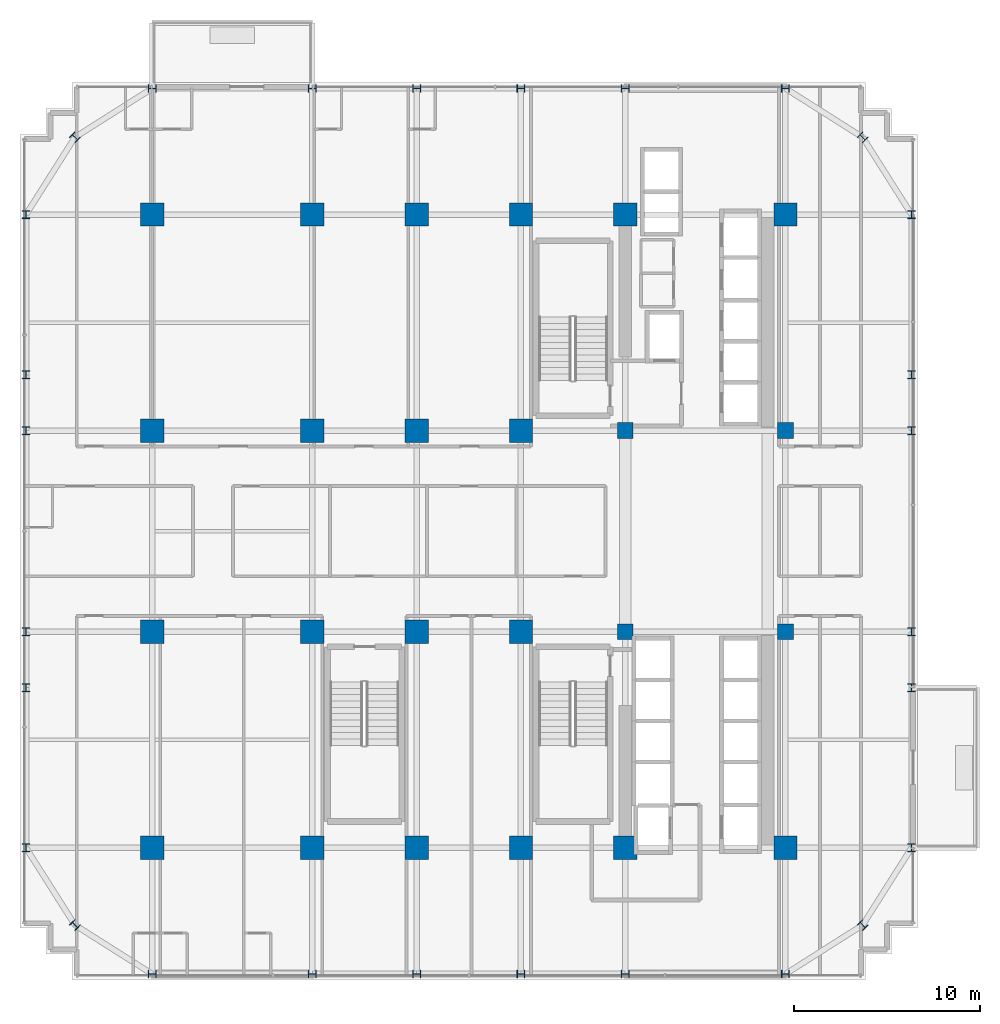
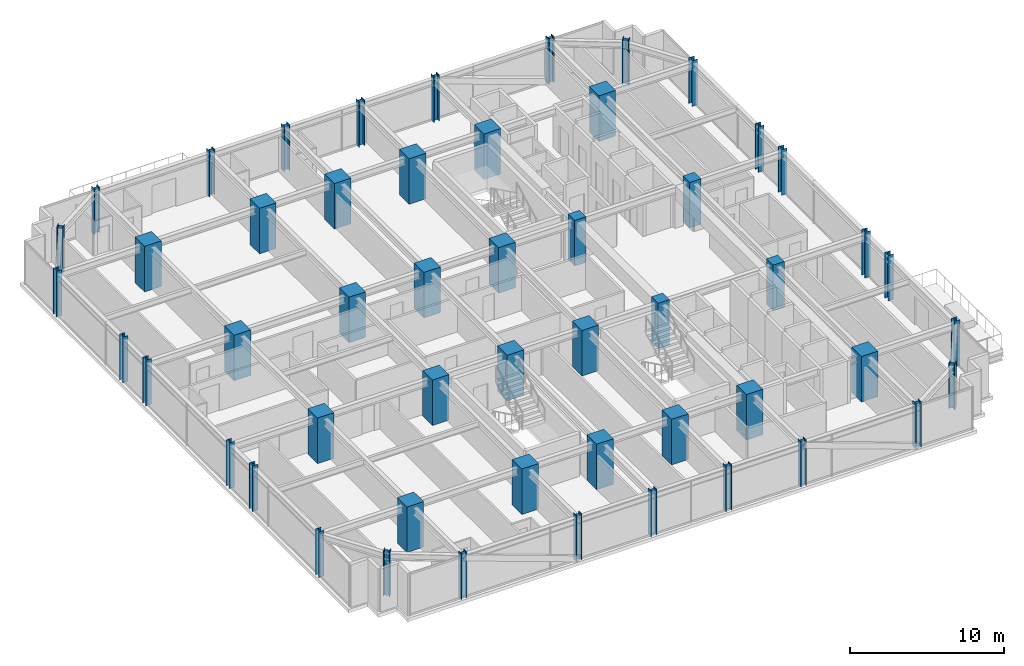
# One storey, part 1 of 34: 52 columns.
"""IFC4 building model written with IfcOpenShell, lengths in metres."""

import ifcopenshell
import ifcopenshell.guid

model = None  # the IFC model being written
_history = None  # IfcOwnerHistory: only IFC2X3 demands one
_inside = {}  # id of a spatial element -> (the spatial element, [elements in it])
_under = {}  # id of a project, library or spatial element -> (it, [spatial elements below it])
_declared = {}  # id of a project -> (the project, [libraries it declares])
_typed = {}  # id of a type object -> (the type object, [elements of that type])
_made_of = {}  # id of a material, layer set ... -> (it, [elements and type objects made of it])


def new_model(schema):
    """Start an empty IFC model of exactly this schema.

    Asked for "IFC4X3", IfcOpenShell would pick the latest addendum, in which some entities
    have other attributes; the version numbers below select the first issue.
    IFC2X3 requires an IfcOwnerHistory on every rooted entity: one is made here for all.
    """
    global model, _history
    if schema == "IFC4X3":
        model = ifcopenshell.file(schema_version=(4, 3, 0, 0))
    else:
        model = ifcopenshell.file(schema=schema)
    _inside.clear()
    _under.clear()
    _declared.clear()
    _typed.clear()
    _made_of.clear()
    _history = None
    if model.schema == "IFC2X3":
        org = make("IfcOrganization", Name="unknown")
        user = make(
            "IfcPersonAndOrganization",
            ThePerson=make("IfcPerson", FamilyName="unknown"),
            TheOrganization=org,
        )
        app = make(
            "IfcApplication",
            ApplicationDeveloper=org,
            Version="unknown",
            ApplicationFullName="unknown",
            ApplicationIdentifier="unknown",
        )
        _history = make(
            "IfcOwnerHistory",
            OwningUser=user,
            OwningApplication=app,
            ChangeAction="ADDED",
            CreationDate=0,
        )
    return model


def make(cls, **values):
    """One entity of the class cls with the attributes given. An attribute that is None is left unset."""
    return model.create_entity(
        cls, **{name: value for name, value in values.items() if value is not None}
    )


def rooted(cls, **values):
    """An entity with a GlobalId (a new one), such as an element, a storey or a relation."""
    return make(cls, GlobalId=ifcopenshell.guid.new(), OwnerHistory=_history, **values)


def si_unit(unit_type, name, prefix=None):
    """IfcSIUnit, for example si_unit("LENGTHUNIT", "METRE", prefix="MILLI")."""
    return make("IfcSIUnit", UnitType=unit_type, Prefix=prefix, Name=name)


def assignment(units):
    """IfcUnitAssignment: the units of a project."""
    return None if units is None else make("IfcUnitAssignment", Units=units)


def point(xyz):
    """IfcCartesianPoint."""
    return None if xyz is None else make("IfcCartesianPoint", Coordinates=xyz)


def direction(xyz):
    """IfcDirection."""
    return None if xyz is None else make("IfcDirection", DirectionRatios=xyz)


def frame(location, z_axis=None, x_axis=None):
    """IfcAxis2Placement3D, a coordinate frame: its origin and axes. An axis left out is left unset."""
    return make(
        "IfcAxis2Placement3D",
        Location=point(location),
        Axis=direction(z_axis),
        RefDirection=direction(x_axis),
    )


def frame_2d(location, x_axis=None):
    """IfcAxis2Placement2D, a coordinate frame in the plane: its origin and x axis."""
    return make(
        "IfcAxis2Placement2D", Location=point(location), RefDirection=direction(x_axis)
    )


def origin():
    """The frame at (0, 0, 0) with its axes left unset."""
    return frame((0.0, 0.0, 0.0))


def origin_2d():
    """The frame at (0, 0) in the plane with its x axis left unset."""
    return frame_2d((0.0, 0.0))


def place(relative_to, where):
    """IfcLocalPlacement: puts the frame where relative to a parent placement (None: the world)."""
    return make(
        "IfcLocalPlacement", PlacementRelTo=relative_to, RelativePlacement=where
    )


def context(
    kind, dimensions, precision=None, world=None, true_north=None, identifier=None
):
    """IfcGeometricRepresentationContext, for example the 3D "Model" context."""
    return make(
        "IfcGeometricRepresentationContext",
        ContextIdentifier=identifier,
        ContextType=kind,
        CoordinateSpaceDimension=dimensions,
        Precision=precision,
        WorldCoordinateSystem=world,
        TrueNorth=true_north,
    )


def subcontext(parent, identifier, kind, view, scale=None):
    """IfcGeometricRepresentationSubContext, for example "Body" below "Model"."""
    return make(
        "IfcGeometricRepresentationSubContext",
        ContextIdentifier=identifier,
        ContextType=kind,
        ParentContext=parent,
        TargetScale=scale,
        TargetView=view,
    )


def project(units=None, contexts=None):
    """IfcProject with its units and contexts."""
    return rooted(
        "IfcProject",
        Name="project",
        RepresentationContexts=contexts,
        UnitsInContext=assignment(units),
    )


def spatial(cls, under=None, at=None, **own):
    """A site, building, storey or space (cls), placed at a placement, below another one or the project."""
    s = rooted(cls, ObjectPlacement=at, **own)
    if under is not None:
        _under.setdefault(under.id(), (under, []))[1].append(s)
    return s


def profile(cls, at=None, kind="AREA", **sizes):
    """A parametric profile (cls). Its sizes go by their IFC names, for example OverallWidth=200.0."""
    return make(cls, ProfileType=kind, Position=at, **sizes)


def rectangle(**sizes):
    """IfcRectangleProfileDef."""
    return profile("IfcRectangleProfileDef", **sizes)


def i_section(**sizes):
    """IfcIShapeProfileDef."""
    return profile("IfcIShapeProfileDef", **sizes)


def extrude(swept, where, along, depth):
    """IfcExtrudedAreaSolid: the profile swept, set in the frame where, extruded along a direction by depth."""
    return make(
        "IfcExtrudedAreaSolid",
        SweptArea=swept,
        Position=where,
        ExtrudedDirection=direction(along),
        Depth=depth,
    )


def shape(context_of_items, identifier, shape_type, items):
    """IfcShapeRepresentation: the items that make up one representation, for example the "Body"."""
    return make(
        "IfcShapeRepresentation",
        ContextOfItems=context_of_items,
        RepresentationIdentifier=identifier,
        RepresentationType=shape_type,
        Items=items,
    )


def source(mapping_origin, context_of_items, identifier, shape_type, items):
    """IfcRepresentationMap: a shape defined once, which mapped items show again and again."""
    return make(
        "IfcRepresentationMap",
        MappingOrigin=mapping_origin,
        MappedRepresentation=shape(context_of_items, identifier, shape_type, items),
    )


def transform(
    local_origin,
    x_axis=None,
    y_axis=None,
    z_axis=None,
    scale=None,
    scale2=None,
    scale3=None,
    uniform=True,
):
    """IfcCartesianTransformationOperator3D, or its non-uniform kind. x_axis, y_axis, z_axis: its Axis1, 2, 3."""
    if uniform:
        return make(
            "IfcCartesianTransformationOperator3D",
            Axis1=direction(x_axis),
            Axis2=direction(y_axis),
            LocalOrigin=point(local_origin),
            Scale=scale,
            Axis3=direction(z_axis),
        )
    return make(
        "IfcCartesianTransformationOperator3DnonUniform",
        Axis1=direction(x_axis),
        Axis2=direction(y_axis),
        LocalOrigin=point(local_origin),
        Scale=scale,
        Axis3=direction(z_axis),
        Scale2=scale2,
        Scale3=scale3,
    )


def mapped(mapping_source, mapping_target):
    """IfcMappedItem: shows the shape of a source again, moved by a transform."""
    return make(
        "IfcMappedItem", MappingSource=mapping_source, MappingTarget=mapping_target
    )


def material(Name=None, Category=None):
    """IfcMaterial."""
    return make("IfcMaterial", Name=Name, Category=Category)


def material_profile(
    of_material, cross_section, Name=None, Category=None, Priority=None
):
    """IfcMaterialProfile: a cross section and its material."""
    return make(
        "IfcMaterialProfile",
        Name=Name,
        Material=of_material,
        Profile=cross_section,
        Priority=Priority,
        Category=Category,
    )


def profile_set(profiles, Name=None, composite=None):
    """IfcMaterialProfileSet."""
    return make(
        "IfcMaterialProfileSet",
        Name=Name,
        MaterialProfiles=profiles,
        CompositeProfile=composite,
    )


def made_of(thing, what):
    """Note that an element or type object is made of a material, layer set ...; save() writes the relation."""
    if what is not None:
        _made_of.setdefault(what.id(), (what, []))[1].append(thing)
    return thing


def type_object(cls, material=None, **own):
    """A type object (cls), such as IfcWallType, which elements share."""
    return made_of(rooted(cls, **own), material)


def element(
    cls,
    number,
    at=None,
    inside=None,
    cuts=None,
    type_object=None,
    material=None,
    context=None,
    identifier="Body",
    shape_type=None,
    held_by="IfcProductDefinitionShape",
    body=None,
    shapes=None,
    **own,
):
    """One element of the class cls, such as IfcWall. Its Tag is "e" and its number.

    at: its placement. inside: the storey or other place that contains it. cuts: it is an
    opening in that element (IfcRelVoidsElement). A single representation is given by context,
    identifier, shape_type and body (its items); several are given by shapes. held_by: the class
    of the entity that holds the representations. save() writes the other relations.
    """
    e = rooted(cls, Tag="e%d" % number, ObjectPlacement=at, **own)
    if body is not None:
        shapes = [shape(context, identifier, shape_type, body)]
    if shapes is not None:
        e.Representation = make(held_by, Representations=shapes)
    if inside is not None:
        _inside.setdefault(inside.id(), (inside, []))[1].append(e)
    if cuts is not None:
        rooted(
            "IfcRelVoidsElement", RelatingBuildingElement=cuts, RelatedOpeningElement=e
        )
    if type_object is not None:
        _typed.setdefault(type_object.id(), (type_object, []))[1].append(e)
    return made_of(e, material)


def aggregate(whole, parts):
    """IfcRelAggregates: a whole, such as a stair, and the parts it consists of."""
    return rooted("IfcRelAggregates", RelatingObject=whole, RelatedObjects=parts)


def save(model, path):
    """Write the relations noted so far, then the file.

    IfcRelAggregates (storeys below a building ...), IfcRelContainedInSpatialStructure (elements
    in a storey), IfcRelDefinesByType, IfcRelAssociatesMaterial and IfcRelDeclares: one each for
    every whole, place, type object, material and project.
    """
    for whole, parts in _under.values():
        aggregate(whole, parts)
    for where, things in _inside.values():
        rooted(
            "IfcRelContainedInSpatialStructure",
            RelatedElements=things,
            RelatingStructure=where,
        )
    for kind, things in _typed.values():
        rooted("IfcRelDefinesByType", RelatedObjects=things, RelatingType=kind)
    for what, things in _made_of.values():
        rooted("IfcRelAssociatesMaterial", RelatedObjects=things, RelatingMaterial=what)
    for by, libraries in _declared.values():
        rooted("IfcRelDeclares", RelatingContext=by, RelatedDefinitions=libraries)
    model.write(path)


model = new_model("IFC4")

# Units and contexts
model_context = context("Model", 3, precision=1e-05, world=origin(), true_north=direction((0.0, 1.0)))
body_context = subcontext(model_context, "Body", "Model", "MODEL_VIEW")
ifc_project = project(units=[si_unit("LENGTHUNIT", "METRE"), si_unit("AREAUNIT", "SQUARE_METRE"), si_unit("VOLUMEUNIT", "CUBIC_METRE"), si_unit("PLANEANGLEUNIT", "RADIAN"), si_unit("MASSUNIT", "GRAM", prefix="KILO")], contexts=[model_context])

# Site, building, storey
site_placement = place(None, origin())
site = spatial("IfcSite", under=ifc_project, at=site_placement, CompositionType="ELEMENT")
building_placement = place(site_placement, origin())
building = spatial("IfcBuilding", under=site, at=building_placement, Name="Nahalor Promenade Grand Hotel", CompositionType="ELEMENT")
storey_placement = place(building_placement, frame((0.0, 0.0, 128.449951171875)))
storey = spatial("IfcBuildingStorey", under=building, at=storey_placement, Name="L32", CompositionType="ELEMENT", Elevation=128.449951171875)

# Columns
ifc_material_1 = material(Name="Concrete B-70 (C60/75)", Category="concrete")
ifc_material_profile_1 = material_profile(ifc_material_1, rectangle(XDim=0.85, YDim=0.85, at=origin_2d()), Name="RC 850x850")
ifc_profile_set_1 = profile_set([ifc_material_profile_1], Name="Concrete B-70 (C60/75)")
column_type_1 = type_object("IfcColumnType", Name="Col-Pilaster-850", PredefinedType="PILASTER", material=ifc_profile_set_1)
shared_shape_1 = source(origin(), body_context, "Body", "SweptSolid", [
    extrude(rectangle(XDim=0.85, YDim=0.85, at=origin_2d()), origin(), (0.0, 0.0, 1.0), 3.60498046875),
])
for number, where, z_axis, x_axis, name in (
    (1, (8.39990234375, -5.39990234375, 0.0), (0.0, 0.0, 1.0), (1.0, 0.0, 0.0), "COL-L32-I41"),
    (2, (8.39990234375, 5.39990234375, 0.0), (0.0, 0.0, 1.0), (1.0, 0.0, 0.0), "COL-L32-I42"),
    (3, (17.0, -5.39990234375, 0.0), (0.0, 0.0, 1.0), (1.0, 0.0, 0.0), "COL-L32-I51"),
    (4, (17.0, 5.39990234375, 0.0), (0.0, 0.0, 1.0), (1.0, 0.0, 0.0), "COL-L32-I52"),
):
    element("IfcColumn", number, at=place(storey_placement, frame(where, z_axis=z_axis, x_axis=x_axis)), inside=storey, type_object=column_type_1, Name=name, PredefinedType="PILASTER", context=body_context, shape_type="MappedRepresentation", body=[
        mapped(shared_shape_1, transform((0.0, 0.0, 0.0), scale=1.0)),
    ])
ifc_material_2 = material(Name="Concrete B-60 (C50/60)", Category="concrete")
ifc_material_profile_2 = material_profile(ifc_material_2, rectangle(XDim=1.25, YDim=1.25, at=origin_2d()), Name="RC 1250x1250")
ifc_profile_set_2 = profile_set([ifc_material_profile_2], Name="Concrete B-60 (C50/60)")
column_type_2 = type_object("IfcColumnType", Name="Col-RC-1250", PredefinedType="COLUMN", material=ifc_profile_set_2)
shared_shape_2 = source(origin(), body_context, "Body", "SweptSolid", [
    extrude(rectangle(XDim=1.25, YDim=1.25, at=origin_2d()), origin(), (0.0, 0.0, 1.0), 3.60498046875),
])
for number, where, z_axis, x_axis, name in (
    (5, (-17.0, -17.0, 0.0), (0.0, 0.0, 1.0), (1.0, 0.0, 0.0), "COL-L32-I00"),
    (6, (-17.0, -5.39990234375, 0.0), (0.0, 0.0, 1.0), (1.0, 0.0, 0.0), "COL-L32-I01"),
    (7, (-17.0, 5.39990234375, 0.0), (0.0, 0.0, 1.0), (1.0, 0.0, 0.0), "COL-L32-I02"),
    (8, (-17.0, 17.0, 0.0), (0.0, 0.0, 1.0), (1.0, 0.0, 0.0), "COL-L32-I03"),
    (9, (-8.39990234375, -17.0, 0.0), (0.0, 0.0, 1.0), (1.0, 0.0, 0.0), "COL-L32-I10"),
    (10, (-8.39990234375, -5.39990234375, 0.0), (0.0, 0.0, 1.0), (1.0, 0.0, 0.0), "COL-L32-I11"),
    (11, (-8.39990234375, 5.39990234375, 0.0), (0.0, 0.0, 1.0), (1.0, 0.0, 0.0), "COL-L32-I12"),
    (12, (-8.39990234375, 17.0, 0.0), (0.0, 0.0, 1.0), (1.0, 0.0, 0.0), "COL-L32-I13"),
    (13, (-2.800048828125, -17.0, 0.0), (0.0, 0.0, 1.0), (1.0, 0.0, 0.0), "COL-L32-I20"),
    (14, (-2.800048828125, -5.39990234375, 0.0), (0.0, 0.0, 1.0), (1.0, 0.0, 0.0), "COL-L32-I21"),
    (15, (-2.800048828125, 5.39990234375, 0.0), (0.0, 0.0, 1.0), (1.0, 0.0, 0.0), "COL-L32-I22"),
    (16, (-2.800048828125, 17.0, 0.0), (0.0, 0.0, 1.0), (1.0, 0.0, 0.0), "COL-L32-I23"),
    (17, (2.800048828125, -17.0, 0.0), (0.0, 0.0, 1.0), (1.0, 0.0, 0.0), "COL-L32-I30"),
    (18, (2.800048828125, -5.39990234375, 0.0), (0.0, 0.0, 1.0), (1.0, 0.0, 0.0), "COL-L32-I31"),
    (19, (2.800048828125, 5.39990234375, 0.0), (0.0, 0.0, 1.0), (1.0, 0.0, 0.0), "COL-L32-I32"),
    (20, (2.800048828125, 17.0, 0.0), (0.0, 0.0, 1.0), (1.0, 0.0, 0.0), "COL-L32-I33"),
    (21, (8.39990234375, -17.0, 0.0), (0.0, 0.0, 1.0), (1.0, 0.0, 0.0), "COL-L32-I40"),
    (22, (8.39990234375, 17.0, 0.0), (0.0, 0.0, 1.0), (1.0, 0.0, 0.0), "COL-L32-I43"),
    (23, (17.0, -17.0, 0.0), (0.0, 0.0, 1.0), (1.0, 0.0, 0.0), "COL-L32-I50"),
    (24, (17.0, 17.0, 0.0), (0.0, 0.0, 1.0), (1.0, 0.0, 0.0), "COL-L32-I53"),
):
    element("IfcColumn", number, at=place(storey_placement, frame(where, z_axis=z_axis, x_axis=x_axis)), inside=storey, type_object=column_type_2, Name=name, PredefinedType="COLUMN", context=body_context, shape_type="MappedRepresentation", body=[
        mapped(shared_shape_2, transform((0.0, 0.0, 0.0), scale=1.0)),
    ])
ifc_material_3 = material(Name="Steel S355J2", Category="steel")
ifc_material_profile_3 = material_profile(ifc_material_3, i_section(OverallWidth=0.409, OverallDepth=0.43, WebThickness=0.0208, FlangeThickness=0.0335, at=origin_2d()), Name="HD 400x421")
ifc_profile_set_3 = profile_set([ifc_material_profile_3], Name="Steel S355J2")
column_type_3 = type_object("IfcColumnType", Name="Col-Steel-HD421", PredefinedType="COLUMN", material=ifc_profile_set_3)
shared_shape_3 = source(origin(), body_context, "Body", "SweptSolid", [
    extrude(i_section(OverallWidth=0.409, OverallDepth=0.43, WebThickness=0.0208, FlangeThickness=0.0335, at=origin_2d()), origin(), (0.0, 0.0, 1.0), 3.60498046875),
])
for number, where, z_axis, x_axis, name in (
    (25, (-23.780029296875, -17.0, 0.0), (0.0, 0.0, 1.0), (1.0, 0.0, 0.0), "COL-L32-PW-W0"),
    (26, (23.780029296875, -17.0, 0.0), (0.0, 0.0, 1.0), (1.0, 0.0, 0.0), "COL-L32-PW-E0"),
    (27, (-23.780029296875, -8.39990234375, 0.0), (0.0, 0.0, 1.0), (1.0, 0.0, 0.0), "COL-L32-PW-W1"),
    (28, (23.780029296875, -8.39990234375, 0.0), (0.0, 0.0, 1.0), (1.0, 0.0, 0.0), "COL-L32-PW-E1"),
    (29, (-23.780029296875, -5.39990234375, 0.0), (0.0, 0.0, 1.0), (1.0, 0.0, 0.0), "COL-L32-PW-W2"),
    (30, (23.780029296875, -5.39990234375, 0.0), (0.0, 0.0, 1.0), (1.0, 0.0, 0.0), "COL-L32-PW-E2"),
    (31, (-23.780029296875, 5.39990234375, 0.0), (0.0, 0.0, 1.0), (1.0, 0.0, 0.0), "COL-L32-PW-W3"),
    (32, (23.780029296875, 5.39990234375, 0.0), (0.0, 0.0, 1.0), (1.0, 0.0, 0.0), "COL-L32-PW-E3"),
    (33, (-23.780029296875, 8.39990234375, 0.0), (0.0, 0.0, 1.0), (1.0, 0.0, 0.0), "COL-L32-PW-W4"),
    (34, (23.780029296875, 8.39990234375, 0.0), (0.0, 0.0, 1.0), (1.0, 0.0, 0.0), "COL-L32-PW-E4"),
    (35, (-23.780029296875, 17.0, 0.0), (0.0, 0.0, 1.0), (1.0, 0.0, 0.0), "COL-L32-PW-W5"),
    (36, (23.780029296875, 17.0, 0.0), (0.0, 0.0, 1.0), (1.0, 0.0, 0.0), "COL-L32-PW-E5"),
    (37, (-17.0, -23.780029296875, 0.0), (0.0, 0.0, 1.0), (0.0, 1.0, 0.0), "COL-L32-PN-S0"),
    (38, (-17.0, 23.780029296875, 0.0), (0.0, 0.0, 1.0), (0.0, 1.0, 0.0), "COL-L32-PN-N0"),
    (39, (-8.39990234375, -23.780029296875, 0.0), (0.0, 0.0, 1.0), (0.0, 1.0, 0.0), "COL-L32-PN-S1"),
    (40, (-8.39990234375, 23.780029296875, 0.0), (0.0, 0.0, 1.0), (0.0, 1.0, 0.0), "COL-L32-PN-N1"),
    (41, (-2.800048828125, -23.780029296875, 0.0), (0.0, 0.0, 1.0), (0.0, 1.0, 0.0), "COL-L32-PN-S2"),
    (42, (-2.800048828125, 23.780029296875, 0.0), (0.0, 0.0, 1.0), (0.0, 1.0, 0.0), "COL-L32-PN-N2"),
    (43, (2.800048828125, -23.780029296875, 0.0), (0.0, 0.0, 1.0), (0.0, 1.0, 0.0), "COL-L32-PN-S3"),
    (44, (2.800048828125, 23.780029296875, 0.0), (0.0, 0.0, 1.0), (0.0, 1.0, 0.0), "COL-L32-PN-N3"),
    (45, (8.39990234375, -23.780029296875, 0.0), (0.0, 0.0, 1.0), (0.0, 1.0, 0.0), "COL-L32-PN-S4"),
    (46, (8.39990234375, 23.780029296875, 0.0), (0.0, 0.0, 1.0), (0.0, 1.0, 0.0), "COL-L32-PN-N4"),
    (47, (17.0, -23.780029296875, 0.0), (0.0, 0.0, 1.0), (0.0, 1.0, 0.0), "COL-L32-PN-S5"),
    (48, (17.0, 23.780029296875, 0.0), (0.0, 0.0, 1.0), (0.0, 1.0, 0.0), "COL-L32-PN-N5"),
    (49, (-21.14990234375, -21.14990234375, 0.0), (0.0, 0.0, 1.0), (0.707106781187, 0.707106781187, 0.0), "COL-L32-CRN-SW"),
    (50, (-21.14990234375, 21.14990234375, 0.0), (0.0, 0.0, 1.0), (0.707106781187, 0.707106781187, 0.0), "COL-L32-CRN-NW"),
    (51, (21.14990234375, -21.14990234375, 0.0), (0.0, 0.0, 1.0), (0.707106781187, 0.707106781187, 0.0), "COL-L32-CRN-SE"),
    (52, (21.14990234375, 21.14990234375, 0.0), (0.0, 0.0, 1.0), (0.707106781187, 0.707106781187, 0.0), "COL-L32-CRN-NE"),
):
    element("IfcColumn", number, at=place(storey_placement, frame(where, z_axis=z_axis, x_axis=x_axis)), inside=storey, type_object=column_type_3, Name=name, PredefinedType="COLUMN", context=body_context, shape_type="MappedRepresentation", body=[
        mapped(shared_shape_3, transform((0.0, 0.0, 0.0), scale=1.0)),
    ])

save(model, "model.ifc")
